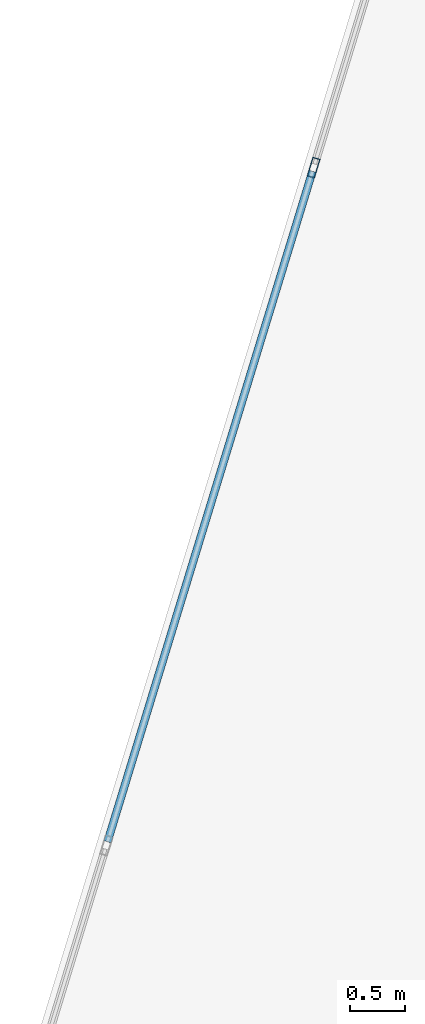
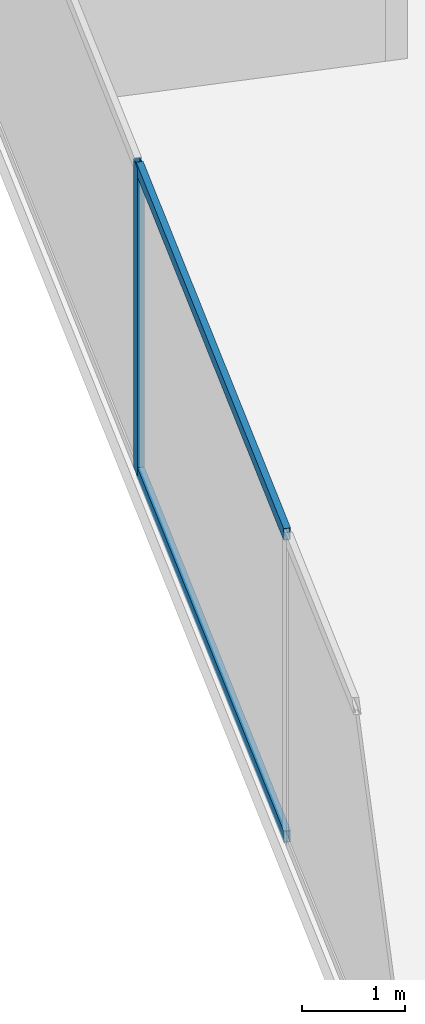
# One storey, part 14 of 26: 3 members, 1 element without a shape of its own.
"""IFC4 building model written with IfcOpenShell, lengths in metres."""

from ifc_helpers import new_model, si_unit, direction, frame, origin, origin_2d, place, context, subcontext, project, spatial, hollow_rectangle, extrude, source, transform, mapped, material, material_profile, profile_set, type_object, type_shapes, element, aggregate, save


model = new_model("IFC4")

# Units and contexts
model_context = context("Model", 3, precision=1e-05, world=origin(), true_north=direction((0.0, 1.0)))
body_context = subcontext(model_context, "Body", "Model", "MODEL_VIEW")
ifc_project = project(units=[si_unit("LENGTHUNIT", "METRE"), si_unit("AREAUNIT", "SQUARE_METRE"), si_unit("VOLUMEUNIT", "CUBIC_METRE"), si_unit("PLANEANGLEUNIT", "RADIAN"), si_unit("MASSUNIT", "GRAM", prefix="KILO")], contexts=[model_context])

# Site, building, storey
site_placement = place(None, origin())
site = spatial("IfcSite", under=ifc_project, at=site_placement, CompositionType="ELEMENT")
building_placement = place(site_placement, origin())
building = spatial("IfcBuilding", under=site, at=building_placement, Name="Krantzveldt Concourse Tower", CompositionType="ELEMENT")
storey_placement = place(building_placement, frame((0.0, 0.0, 109.800048828125)))
storey = spatial("IfcBuildingStorey", under=building, at=storey_placement, Name="L26", CompositionType="ELEMENT", Elevation=109.800048828125)

# Curtain wall, members
ifc_material = material(Name="Anodised aluminium 6063-T6", Category="aluminium")
curtain_wall_type = type_object("IfcCurtainWallType", Name="CW2", PredefinedType="USERDEFINED", material=ifc_material)
curtain_wall_placement = place(storey_placement, origin())
curtain_wall = element("IfcCurtainWall", 1, at=curtain_wall_placement, inside=storey, type_object=curtain_wall_type, Name="CW-L26-F01", ObjectType="UNITISED CURTAIN WALL", PredefinedType="USERDEFINED")
ifc_material_profile_1 = material_profile(ifc_material, hollow_rectangle(XDim=0.070068359375, YDim=0.179931640625, WallThickness=0.0048828125, at=origin_2d()), Name="Anodised aluminium 6063-T6", Category="aluminium")
ifc_profile_set_1 = profile_set([ifc_material_profile_1], Name="Anodised aluminium 6063-T6 - ALU-MULL 180x70x5")
member_type_1 = type_object("IfcMemberType", Name="CW-MUL-180", PredefinedType="MULLION", material=ifc_profile_set_1)
shared_shape_1 = source(origin(), body_context, "Body", "SweptSolid", [
    extrude(hollow_rectangle(XDim=0.070068359375, YDim=0.179931640625, WallThickness=0.0048828125, at=origin_2d()), origin(), (0.0, 0.0, 1.0), 3.669921875),
])
type_shapes(member_type_1, [shared_shape_1])
member_1_placement = place(storey_placement, frame((17.489990234375, 45.88330078125, 0.0), z_axis=(0.0, 0.0, 1.0), x_axis=(0.956304761423, -0.292371686864, 0.0)))
member_1 = element("IfcMember", 2, at=member_1_placement, type_object=member_type_1, Name="CW-Z12 mullion 2", PredefinedType="MULLION", context=body_context, shape_type="MappedRepresentation", body=[
    mapped(shared_shape_1, transform((0.0, 0.0, 0.0), x_axis=(1.0, 0.0, 0.0), y_axis=(0.0, 1.0, 0.0), z_axis=(0.0, 0.0, 1.0), scale=1.0)),
])
ifc_material_profile_2 = material_profile(ifc_material, hollow_rectangle(XDim=0.070068359375, YDim=0.139892578125, WallThickness=0.0048828125, at=origin_2d()), Name="Anodised aluminium 6063-T6", Category="aluminium")
ifc_profile_set_2 = profile_set([ifc_material_profile_2], Name="Anodised aluminium 6063-T6 - ALU-TRAN 140x70x5")
member_type_2 = type_object("IfcMemberType", Name="CW-TRN-150", PredefinedType="USERDEFINED", material=ifc_profile_set_2)
shared_shape_2 = source(origin(), body_context, "Body", "SweptSolid", [
    extrude(hollow_rectangle(XDim=0.070068359375, YDim=0.139892578125, WallThickness=0.0048828125, at=origin_2d()), origin(), (0.0, 0.0, 1.0), 6.396728515625),
])
type_shapes(member_type_2, [shared_shape_2])
member_2_placement = place(storey_placement, frame((17.479736328125, 45.849853515625, 0.034912109375), z_axis=(-0.292393067434, -0.956298224466, 0.0), x_axis=(0.956298224466, -0.292393067434, 0.0)))
member_2 = element("IfcMember", 3, at=member_2_placement, type_object=member_type_2, Name="CW-Z12 transom 2.1", ObjectType="TRANSOM", PredefinedType="USERDEFINED", context=body_context, shape_type="MappedRepresentation", body=[
    mapped(shared_shape_2, transform((0.0, 0.0, 0.0), x_axis=(1.0, 0.0, 0.0), y_axis=(0.0, 1.0, 0.0), z_axis=(0.0, 0.0, 1.0), scale=1.0)),
])
member_3_placement = place(storey_placement, frame((17.479736328125, 45.849853515625, 3.635009765625), z_axis=(-0.292393067434, -0.956298224466, 0.0), x_axis=(0.956298224466, -0.292393067434, 0.0)))
member_3 = element("IfcMember", 4, at=member_3_placement, type_object=member_type_2, Name="CW-Z12 transom 2.2", ObjectType="TRANSOM", PredefinedType="USERDEFINED", context=body_context, shape_type="MappedRepresentation", body=[
    mapped(shared_shape_2, transform((0.0, 0.0, 0.0), x_axis=(1.0, 0.0, 0.0), y_axis=(0.0, 1.0, 0.0), z_axis=(0.0, 0.0, 1.0), scale=1.0)),
])
aggregate(curtain_wall, [member_1, member_2, member_3])

save(model, "model.ifc")
